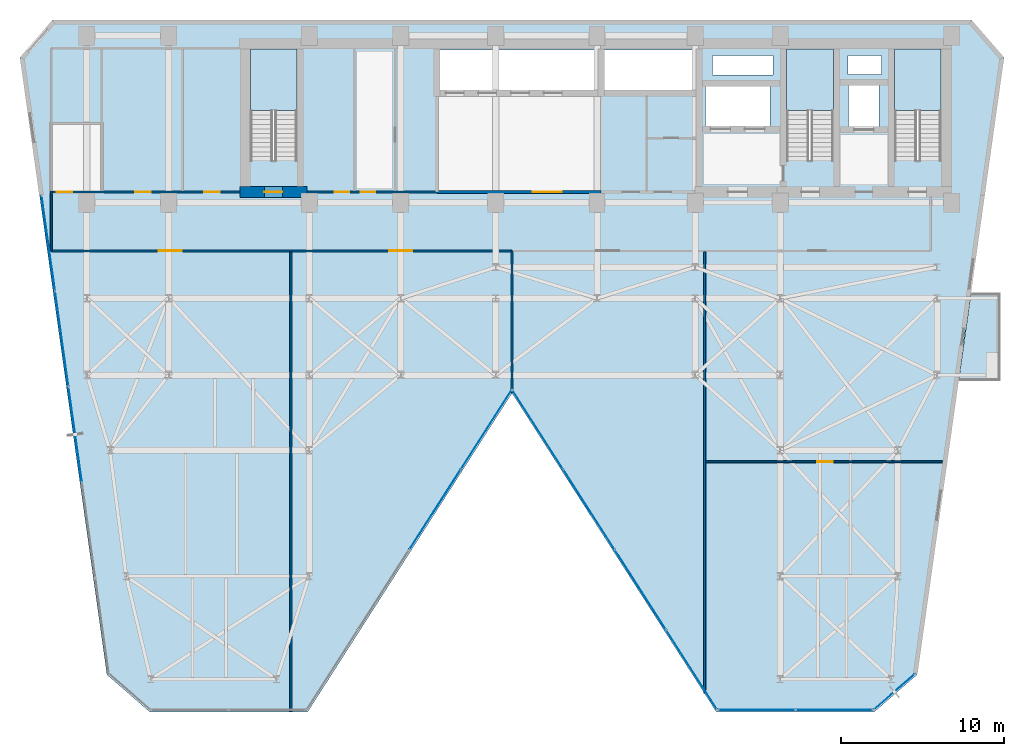
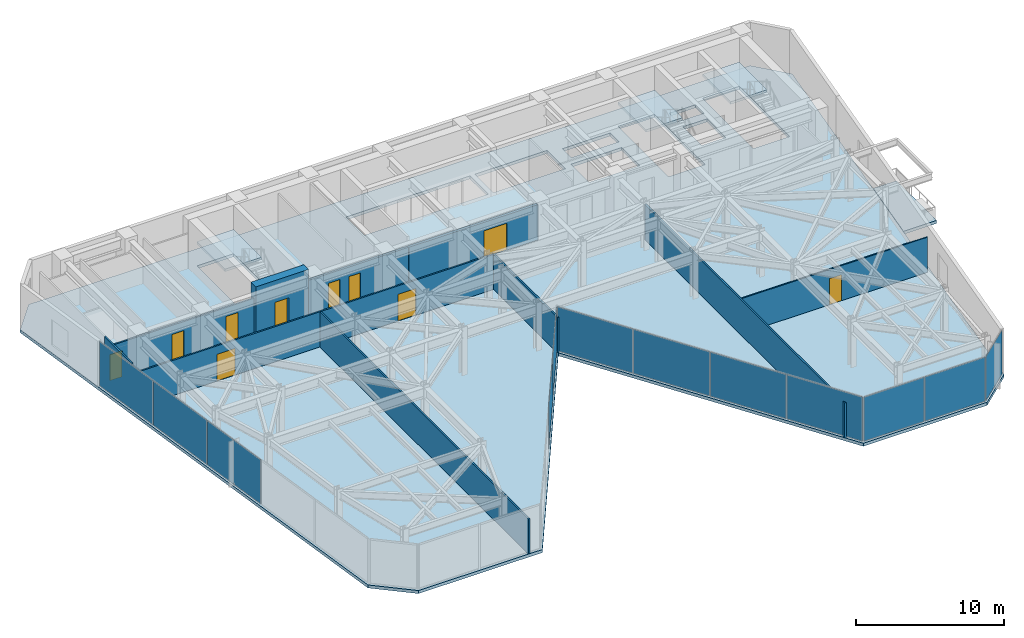
# One storey, part 21 of 26: 12 plates, 10 doors, 10 walls, 5 slabs, 10 openings, 8 elements without a shape of their own.
"""IFC4 building model written with IfcOpenShell, lengths in metres."""

import ifcopenshell
import ifcopenshell.guid

model = None  # the IFC model being written
_history = None  # IfcOwnerHistory: only IFC2X3 demands one
_inside = {}  # id of a spatial element -> (the spatial element, [elements in it])
_under = {}  # id of a project, library or spatial element -> (it, [spatial elements below it])
_declared = {}  # id of a project -> (the project, [libraries it declares])
_typed = {}  # id of a type object -> (the type object, [elements of that type])
_made_of = {}  # id of a material, layer set ... -> (it, [elements and type objects made of it])


def new_model(schema):
    """Start an empty IFC model of exactly this schema.

    Asked for "IFC4X3", IfcOpenShell would pick the latest addendum, in which some entities
    have other attributes; the version numbers below select the first issue.
    IFC2X3 requires an IfcOwnerHistory on every rooted entity: one is made here for all.
    """
    global model, _history
    if schema == "IFC4X3":
        model = ifcopenshell.file(schema_version=(4, 3, 0, 0))
    else:
        model = ifcopenshell.file(schema=schema)
    _inside.clear()
    _under.clear()
    _declared.clear()
    _typed.clear()
    _made_of.clear()
    _history = None
    if model.schema == "IFC2X3":
        org = make("IfcOrganization", Name="unknown")
        user = make(
            "IfcPersonAndOrganization",
            ThePerson=make("IfcPerson", FamilyName="unknown"),
            TheOrganization=org,
        )
        app = make(
            "IfcApplication",
            ApplicationDeveloper=org,
            Version="unknown",
            ApplicationFullName="unknown",
            ApplicationIdentifier="unknown",
        )
        _history = make(
            "IfcOwnerHistory",
            OwningUser=user,
            OwningApplication=app,
            ChangeAction="ADDED",
            CreationDate=0,
        )
    return model


def make(cls, **values):
    """One entity of the class cls with the attributes given. An attribute that is None is left unset."""
    return model.create_entity(
        cls, **{name: value for name, value in values.items() if value is not None}
    )


def rooted(cls, **values):
    """An entity with a GlobalId (a new one), such as an element, a storey or a relation."""
    return make(cls, GlobalId=ifcopenshell.guid.new(), OwnerHistory=_history, **values)


def si_unit(unit_type, name, prefix=None):
    """IfcSIUnit, for example si_unit("LENGTHUNIT", "METRE", prefix="MILLI")."""
    return make("IfcSIUnit", UnitType=unit_type, Prefix=prefix, Name=name)


def assignment(units):
    """IfcUnitAssignment: the units of a project."""
    return None if units is None else make("IfcUnitAssignment", Units=units)


def point(xyz):
    """IfcCartesianPoint."""
    return None if xyz is None else make("IfcCartesianPoint", Coordinates=xyz)


def direction(xyz):
    """IfcDirection."""
    return None if xyz is None else make("IfcDirection", DirectionRatios=xyz)


def frame(location, z_axis=None, x_axis=None):
    """IfcAxis2Placement3D, a coordinate frame: its origin and axes. An axis left out is left unset."""
    return make(
        "IfcAxis2Placement3D",
        Location=point(location),
        Axis=direction(z_axis),
        RefDirection=direction(x_axis),
    )


def frame_2d(location, x_axis=None):
    """IfcAxis2Placement2D, a coordinate frame in the plane: its origin and x axis."""
    return make(
        "IfcAxis2Placement2D", Location=point(location), RefDirection=direction(x_axis)
    )


def origin():
    """The frame at (0, 0, 0) with its axes left unset."""
    return frame((0.0, 0.0, 0.0))


def origin_2d():
    """The frame at (0, 0) in the plane with its x axis left unset."""
    return frame_2d((0.0, 0.0))


def place(relative_to, where):
    """IfcLocalPlacement: puts the frame where relative to a parent placement (None: the world)."""
    return make(
        "IfcLocalPlacement", PlacementRelTo=relative_to, RelativePlacement=where
    )


def context(
    kind, dimensions, precision=None, world=None, true_north=None, identifier=None
):
    """IfcGeometricRepresentationContext, for example the 3D "Model" context."""
    return make(
        "IfcGeometricRepresentationContext",
        ContextIdentifier=identifier,
        ContextType=kind,
        CoordinateSpaceDimension=dimensions,
        Precision=precision,
        WorldCoordinateSystem=world,
        TrueNorth=true_north,
    )


def subcontext(parent, identifier, kind, view, scale=None):
    """IfcGeometricRepresentationSubContext, for example "Body" below "Model"."""
    return make(
        "IfcGeometricRepresentationSubContext",
        ContextIdentifier=identifier,
        ContextType=kind,
        ParentContext=parent,
        TargetScale=scale,
        TargetView=view,
    )


def project(units=None, contexts=None):
    """IfcProject with its units and contexts."""
    return rooted(
        "IfcProject",
        Name="project",
        RepresentationContexts=contexts,
        UnitsInContext=assignment(units),
    )


def spatial(cls, under=None, at=None, **own):
    """A site, building, storey or space (cls), placed at a placement, below another one or the project."""
    s = rooted(cls, ObjectPlacement=at, **own)
    if under is not None:
        _under.setdefault(under.id(), (under, []))[1].append(s)
    return s


def polyline(points):
    """IfcPolyline through the points."""
    return make("IfcPolyline", Points=[point(p) for p in points])


def profile(cls, at=None, kind="AREA", **sizes):
    """A parametric profile (cls). Its sizes go by their IFC names, for example OverallWidth=200.0."""
    return make(cls, ProfileType=kind, Position=at, **sizes)


def rectangle(**sizes):
    """IfcRectangleProfileDef."""
    return profile("IfcRectangleProfileDef", **sizes)


def outline(outer, holes=None, kind="AREA"):
    """IfcArbitraryClosedProfileDef: a profile drawn as a closed curve; with holes, ...WithVoids."""
    if holes is None:
        return make("IfcArbitraryClosedProfileDef", ProfileType=kind, OuterCurve=outer)
    return make(
        "IfcArbitraryProfileDefWithVoids",
        ProfileType=kind,
        OuterCurve=outer,
        InnerCurves=holes,
    )


def extrude(swept, where, along, depth):
    """IfcExtrudedAreaSolid: the profile swept, set in the frame where, extruded along a direction by depth."""
    return make(
        "IfcExtrudedAreaSolid",
        SweptArea=swept,
        Position=where,
        ExtrudedDirection=direction(along),
        Depth=depth,
    )


def shape(context_of_items, identifier, shape_type, items):
    """IfcShapeRepresentation: the items that make up one representation, for example the "Body"."""
    return make(
        "IfcShapeRepresentation",
        ContextOfItems=context_of_items,
        RepresentationIdentifier=identifier,
        RepresentationType=shape_type,
        Items=items,
    )


def material(Name=None, Category=None):
    """IfcMaterial."""
    return make("IfcMaterial", Name=Name, Category=Category)


def layer(
    of_material, thickness, ventilated=None, Name=None, Category=None, Priority=None
):
    """IfcMaterialLayer: one layer of a wall or slab, of a material (None: an air gap)."""
    return make(
        "IfcMaterialLayer",
        Material=of_material,
        LayerThickness=thickness,
        IsVentilated=ventilated,
        Name=Name,
        Category=Category,
        Priority=Priority,
    )


def layer_set(layers, Name=None):
    """IfcMaterialLayerSet."""
    return make("IfcMaterialLayerSet", MaterialLayers=layers, LayerSetName=Name)


def made_of(thing, what):
    """Note that an element or type object is made of a material, layer set ...; save() writes the relation."""
    if what is not None:
        _made_of.setdefault(what.id(), (what, []))[1].append(thing)
    return thing


def type_object(cls, material=None, **own):
    """A type object (cls), such as IfcWallType, which elements share."""
    return made_of(rooted(cls, **own), material)


def element(
    cls,
    number,
    at=None,
    inside=None,
    cuts=None,
    type_object=None,
    material=None,
    context=None,
    identifier="Body",
    shape_type=None,
    held_by="IfcProductDefinitionShape",
    body=None,
    shapes=None,
    **own,
):
    """One element of the class cls, such as IfcWall. Its Tag is "e" and its number.

    at: its placement. inside: the storey or other place that contains it. cuts: it is an
    opening in that element (IfcRelVoidsElement). A single representation is given by context,
    identifier, shape_type and body (its items); several are given by shapes. held_by: the class
    of the entity that holds the representations. save() writes the other relations.
    """
    e = rooted(cls, Tag="e%d" % number, ObjectPlacement=at, **own)
    if body is not None:
        shapes = [shape(context, identifier, shape_type, body)]
    if shapes is not None:
        e.Representation = make(held_by, Representations=shapes)
    if inside is not None:
        _inside.setdefault(inside.id(), (inside, []))[1].append(e)
    if cuts is not None:
        rooted(
            "IfcRelVoidsElement", RelatingBuildingElement=cuts, RelatedOpeningElement=e
        )
    if type_object is not None:
        _typed.setdefault(type_object.id(), (type_object, []))[1].append(e)
    return made_of(e, material)


def fill(opening, filler):
    """IfcRelFillsElement: the door or window that sits in an opening."""
    return rooted(
        "IfcRelFillsElement",
        RelatingOpeningElement=opening,
        RelatedBuildingElement=filler,
    )


def aggregate(whole, parts):
    """IfcRelAggregates: a whole, such as a stair, and the parts it consists of."""
    return rooted("IfcRelAggregates", RelatingObject=whole, RelatedObjects=parts)


def save(model, path):
    """Write the relations noted so far, then the file.

    IfcRelAggregates (storeys below a building ...), IfcRelContainedInSpatialStructure (elements
    in a storey), IfcRelDefinesByType, IfcRelAssociatesMaterial and IfcRelDeclares: one each for
    every whole, place, type object, material and project.
    """
    for whole, parts in _under.values():
        aggregate(whole, parts)
    for where, things in _inside.values():
        rooted(
            "IfcRelContainedInSpatialStructure",
            RelatedElements=things,
            RelatingStructure=where,
        )
    for kind, things in _typed.values():
        rooted("IfcRelDefinesByType", RelatedObjects=things, RelatingType=kind)
    for what, things in _made_of.values():
        rooted("IfcRelAssociatesMaterial", RelatedObjects=things, RelatingMaterial=what)
    for by, libraries in _declared.values():
        rooted("IfcRelDeclares", RelatingContext=by, RelatedDefinitions=libraries)
    model.write(path)


model = new_model("IFC4")

# Units and contexts
model_context = context("Model", 3, precision=1e-05, world=origin(), true_north=direction((0.0, 1.0)))
body_context = subcontext(model_context, "Body", "Model", "MODEL_VIEW")
ifc_project = project(units=[si_unit("LENGTHUNIT", "METRE"), si_unit("AREAUNIT", "SQUARE_METRE"), si_unit("VOLUMEUNIT", "CUBIC_METRE"), si_unit("PLANEANGLEUNIT", "RADIAN"), si_unit("MASSUNIT", "GRAM", prefix="KILO")], contexts=[model_context])

# Site, building, storey
site_placement = place(None, origin())
site = spatial("IfcSite", under=ifc_project, at=site_placement, CompositionType="ELEMENT")
building_placement = place(site_placement, origin())
building = spatial("IfcBuilding", under=site, at=building_placement, Name="Kravanh Interchange Tower", CompositionType="ELEMENT")
storey_placement = place(building_placement, frame((0.0, 0.0, 124.0)))
storey = spatial("IfcBuildingStorey", under=building, at=storey_placement, Name="L29", CompositionType="ELEMENT", Elevation=124.0)

# Slab
ifc_material_1 = material(Name="Concrete C50/60", Category="concrete")
ifc_layer_1 = layer(ifc_material_1, 0.25)
ifc_layer_set_1 = layer_set([ifc_layer_1], Name="Composite Floor Slab Concrete C50/60 250mm")
slab_type_1 = type_object("IfcSlabType", Name="Composite Floor Slab Concrete C50/60 250mm", PredefinedType="FLOOR", material=ifc_layer_set_1)
slab_1_placement = place(storey_placement, frame((0.0, 0.0, -0.25)))
element("IfcSlab", 1, at=slab_1_placement, inside=storey, type_object=slab_type_1, Name="L29 Structural Floor Slab", PredefinedType="FLOOR", context=body_context, shape_type="SweptSolid", body=[
    extrude(outline(polyline([(14.82470703125, 8.4775390625), (17.44482421875, 6.199951171875), (27.10009765625, 6.199951171875), (39.60009765625, 25.699951171875), (52.10009765625, 6.199951171875), (61.755126953125, 6.199951171875), (64.375244140625, 8.4775390625), (69.679931640625, 46.222412109375), (67.699951171875, 48.5), (11.5, 48.5), (9.52001953125, 46.222412109375), (14.82470703125, 8.4775390625)]), holes=[polyline([(65.85009765625, 39.925048828125), (65.85009765625, 46.75), (63.0, 46.75), (63.0, 39.925048828125), (65.85009765625, 39.925048828125)]), polyline([(59.25, 39.925048828125), (59.25, 46.75), (56.39990234375, 46.75), (56.39990234375, 39.925048828125), (59.25, 39.925048828125)]), polyline([(26.449951171875, 39.925048828125), (26.449951171875, 46.75), (23.60009765625, 46.75), (23.60009765625, 39.925048828125), (26.449951171875, 39.925048828125)]), polyline([(35.179931640625, 44.219970703125), (44.840087890625, 44.219970703125), (44.840087890625, 46.699951171875), (35.179931640625, 46.699951171875), (35.179931640625, 44.219970703125)]), polyline([(45.239990234375, 44.219970703125), (50.840087890625, 44.219970703125), (50.840087890625, 46.699951171875), (45.239990234375, 46.699951171875), (45.239990234375, 44.219970703125)]), polyline([(51.419921875, 42.02001953125), (55.3798828125, 42.02001953125), (55.3798828125, 44.47998046875), (51.419921875, 44.47998046875), (51.419921875, 42.02001953125)]), polyline([(60.179931640625, 41.97998046875), (62.06005859375, 41.97998046875), (62.06005859375, 44.52001953125), (60.179931640625, 44.52001953125), (60.179931640625, 41.97998046875)]), polyline([(60.14990234375, 45.199951171875), (62.199951171875, 45.199951171875), (62.199951171875, 46.35009765625), (60.14990234375, 46.35009765625), (60.14990234375, 45.199951171875)]), polyline([(51.85009765625, 45.14990234375), (55.550048828125, 45.14990234375), (55.550048828125, 46.35009765625), (51.85009765625, 46.35009765625), (51.85009765625, 45.14990234375)])]), origin(), (0.0, 0.0, 1.0), 0.25),
])

# Stair, slab
ifc_material_2 = material(Name="Concrete C50/60", Category="concrete")
stair_type = type_object("IfcStairType", Name="Core Fire Exit Dogleg Stair Concrete C50/60", PredefinedType="HALF_TURN_STAIR", material=ifc_material_2)
stair_1_placement = place(storey_placement, origin())
stair_1 = element("IfcStair", 2, at=stair_1_placement, inside=storey, type_object=stair_type, Name="L29 Exit Stair ST1", PredefinedType="HALF_TURN_STAIR")
ifc_material_3 = material(Name="Concrete C50/60", Category="concrete")
ifc_layer_2 = layer(ifc_material_3, 0.199951171875)
ifc_layer_set_2 = layer_set([ifc_layer_2], Name="Concrete C50/60 Stair Half-Landing Slab 200mm")
slab_type_2 = type_object("IfcSlabType", Name="Concrete C50/60 Stair Half-Landing Slab 200mm", PredefinedType="LANDING", material=ifc_layer_set_2)
slab_2_placement = place(storey_placement, frame((0.0, 0.0, 1.800048828125)))
slab_2 = element("IfcSlab", 3, at=slab_2_placement, type_object=slab_type_2, Name="ST1 landing 1", PredefinedType="LANDING", context=body_context, shape_type="SweptSolid", body=[
    extrude(outline(polyline([(65.85009765625, 42.97998046875), (65.85009765625, 46.75), (63.0, 46.75), (63.0, 42.97998046875), (65.85009765625, 42.97998046875)])), origin(), (0.0, 0.0, 1.0), 0.199951171875),
])
aggregate(stair_1, [slab_2])

stair_2_placement = place(storey_placement, origin())
stair_2 = element("IfcStair", 4, at=stair_2_placement, inside=storey, type_object=stair_type, Name="L29 Exit Stair ST2", PredefinedType="HALF_TURN_STAIR")
slab_3_placement = place(storey_placement, frame((0.0, 0.0, 1.800048828125)))
slab_3 = element("IfcSlab", 5, at=slab_3_placement, type_object=slab_type_2, Name="ST2 landing 1", PredefinedType="LANDING", context=body_context, shape_type="SweptSolid", body=[
    extrude(outline(polyline([(59.25, 42.97998046875), (59.25, 46.75), (56.39990234375, 46.75), (56.39990234375, 42.97998046875), (59.25, 42.97998046875)])), origin(), (0.0, 0.0, 1.0), 0.199951171875),
])
aggregate(stair_2, [slab_3])

stair_3_placement = place(storey_placement, origin())
stair_3 = element("IfcStair", 6, at=stair_3_placement, inside=storey, type_object=stair_type, Name="L29 Exit Stair ST3", PredefinedType="HALF_TURN_STAIR")
slab_4_placement = place(storey_placement, frame((0.0, 0.0, 1.800048828125)))
slab_4 = element("IfcSlab", 7, at=slab_4_placement, type_object=slab_type_2, Name="ST3 landing 1", PredefinedType="LANDING", context=body_context, shape_type="SweptSolid", body=[
    extrude(outline(polyline([(26.449951171875, 42.97998046875), (26.449951171875, 46.75), (23.60009765625, 46.75), (23.60009765625, 42.97998046875), (26.449951171875, 42.97998046875)])), origin(), (0.0, 0.0, 1.0), 0.199951171875),
])
aggregate(stair_3, [slab_4])

# Slab
ifc_material_4 = material(Name="Concrete C50/60", Category="concrete")
ifc_layer_3 = layer(ifc_material_4, 0.199951171875)
ifc_layer_set_3 = layer_set([ifc_layer_3], Name="Planted Tree Balcony Slab Concrete C50/60 200mm")
slab_type_3 = type_object("IfcSlabType", Name="Planted Tree Balcony Slab Concrete C50/60 200mm", PredefinedType="USERDEFINED", material=ifc_layer_set_3)
slab_5_placement = place(storey_placement, frame((0.0, 0.0, -0.25)))
element("IfcSlab", 8, at=slab_5_placement, inside=storey, type_object=slab_type_3, Name="L29 East Tree Planter Balcony Slab", ObjectType="BALCONY", PredefinedType="USERDEFINED", context=body_context, shape_type="SweptSolid", body=[
    extrude(outline(polyline([(69.489990234375, 31.830078125), (69.489990234375, 26.429931640625), (66.913330078125, 26.429931640625), (67.67236328125, 31.830078125), (69.489990234375, 31.830078125)])), origin(), (0.0, 0.0, 1.0), 0.25),
])

# Curtain wall, plates
ifc_material_5 = material(Name="Anodised Bronze Aluminium", Category="aluminium")
ifc_layer_4 = layer(ifc_material_5, 0.179931640625)
ifc_layer_set_4 = layer_set([ifc_layer_4], Name="Unitised Curtain Wall System CW-Z2 Mid Office")
curtain_wall_type = type_object("IfcCurtainWallType", Name="Unitised Curtain Wall System CW-Z2 Mid Office", PredefinedType="NOTDEFINED", material=ifc_layer_set_4)
curtain_wall_1_placement = place(storey_placement, origin())
curtain_wall_1 = element("IfcCurtainWall", 9, at=curtain_wall_1_placement, inside=storey, type_object=curtain_wall_type, Name="L29 Unitised Curtain Wall CW-L29-01", PredefinedType="NOTDEFINED")
ifc_material_6 = material(Name="Low-E Laminated Architectural Glass", Category="glass")
ifc_layer_5 = layer(ifc_material_6, 0.02587890625)
ifc_layer_set_5 = layer_set([ifc_layer_5], Name="Solar-Control Double Glazing 26mm")
plate_type = type_object("IfcPlateType", Name="Solar-Control Double Glazing 26mm", PredefinedType="CURTAIN_PANEL", material=ifc_layer_set_5)
plate_1_placement = place(storey_placement, frame((12.881103515625, 23.16943359375, 0.06005859375), z_axis=(0.0, 0.0, 1.0), x_axis=(-0.13917285118, 0.990268103846, 0.0)))
plate_1 = element("IfcPlate", 10, at=plate_1_placement, type_object=plate_type, Name="CW-Z2 panel 3.1", PredefinedType="CURTAIN_PANEL", context=body_context, shape_type="SweptSolid", body=[
    extrude(rectangle(XDim=5.849853515625, YDim=0.02587890625, at=origin_2d()), origin(), (0.0, 0.0, 1.0), 3.6298828125),
])
plate_2_placement = place(storey_placement, frame((12.058837890625, 29.021728515625, 0.06005859375), z_axis=(0.0, 0.0, 1.0), x_axis=(-0.13917285118, 0.990268103846, 0.0)))
plate_2 = element("IfcPlate", 11, at=plate_2_placement, type_object=plate_type, Name="CW-Z2 panel 4.1", PredefinedType="CURTAIN_PANEL", context=body_context, shape_type="SweptSolid", body=[
    extrude(rectangle(XDim=5.849853515625, YDim=0.02587890625, at=origin_2d()), origin(), (0.0, 0.0, 1.0), 3.6298828125),
])
plate_3_placement = place(storey_placement, frame((11.23828125, 34.859130859375, 0.06005859375), z_axis=(0.0, 0.0, 1.0), x_axis=(-0.13917285118, 0.990268103846, 0.0)))
plate_3 = element("IfcPlate", 12, at=plate_3_placement, type_object=plate_type, Name="CW-Z2 panel 5.1", PredefinedType="CURTAIN_PANEL", context=body_context, shape_type="SweptSolid", body=[
    extrude(rectangle(XDim=5.81982421875, YDim=0.02587890625, at=origin_2d()), origin(), (0.0, 0.0, 1.0), 3.6298828125),
])
aggregate(curtain_wall_1, [plate_1, plate_2, plate_3])

# Curtain wall, plate
curtain_wall_2_placement = place(storey_placement, origin())
curtain_wall_2 = element("IfcCurtainWall", 13, at=curtain_wall_2_placement, inside=storey, type_object=curtain_wall_type, Name="L29 Unitised Curtain Wall CW-L29-02", PredefinedType="NOTDEFINED")
plate_4_placement = place(storey_placement, frame((62.986328125, 7.429443359375, 0.06005859375), z_axis=(0.0, 0.0, 1.0), x_axis=(-0.754719458103, -0.656047665617, 0.0)))
plate_4 = element("IfcPlate", 14, at=plate_4_placement, type_object=plate_type, Name="CW-Z2 panel 1.1", PredefinedType="CURTAIN_PANEL", context=body_context, shape_type="SweptSolid", body=[
    extrude(rectangle(XDim=3.261962890625, YDim=0.02587890625, at=origin_2d()), origin(), (0.0, 0.0, 1.0), 3.6298828125),
])
aggregate(curtain_wall_2, [plate_4])

# Curtain wall, plates
curtain_wall_3_placement = place(storey_placement, origin())
curtain_wall_3 = element("IfcCurtainWall", 15, at=curtain_wall_3_placement, inside=storey, type_object=curtain_wall_type, Name="L29 Unitised Curtain Wall CW-L29-03", PredefinedType="NOTDEFINED")
plate_5_placement = place(storey_placement, frame((59.30908203125, 6.320068359375, 0.06005859375), z_axis=(0.0, 0.0, 1.0), x_axis=(-1.0, 0.0, 0.0)))
plate_5 = element("IfcPlate", 16, at=plate_5_placement, type_object=plate_type, Name="CW-Z2 panel 1.1", PredefinedType="CURTAIN_PANEL", context=body_context, shape_type="SweptSolid", body=[
    extrude(rectangle(XDim=4.682373046875, YDim=0.02587890625, at=origin_2d()), origin(), (0.0, 0.0, 1.0), 3.6298828125),
])
plate_6_placement = place(storey_placement, frame((54.566650390625, 6.320068359375, 0.06005859375), z_axis=(0.0, 0.0, 1.0), x_axis=(-1.0, 0.0, 0.0)))
plate_6 = element("IfcPlate", 17, at=plate_6_placement, type_object=plate_type, Name="CW-Z2 panel 2.1", PredefinedType="CURTAIN_PANEL", context=body_context, shape_type="SweptSolid", body=[
    extrude(rectangle(XDim=4.682373046875, YDim=0.02587890625, at=origin_2d()), origin(), (0.0, 0.0, 1.0), 3.6298828125),
])
aggregate(curtain_wall_3, [plate_5, plate_6])

curtain_wall_4_placement = place(storey_placement, origin())
curtain_wall_4 = element("IfcCurtainWall", 18, at=curtain_wall_4_placement, inside=storey, type_object=curtain_wall_type, Name="L29 Unitised Curtain Wall CW-L29-04", PredefinedType="NOTDEFINED")
plate_7_placement = place(storey_placement, frame((50.5869140625, 8.782958984375, 0.06005859375), z_axis=(0.0, 0.0, 1.0), x_axis=(-0.539664865919, 0.841879939476, 0.0)))
plate_7 = element("IfcPlate", 19, at=plate_7_placement, type_object=plate_type, Name="CW-Z2 panel 1.1", PredefinedType="CURTAIN_PANEL", context=body_context, shape_type="SweptSolid", body=[
    extrude(rectangle(XDim=5.73095703125, YDim=0.02587890625, at=origin_2d()), origin(), (0.0, 0.0, 1.0), 3.6298828125),
])
plate_8_placement = place(storey_placement, frame((47.45361328125, 13.6708984375, 0.06005859375), z_axis=(0.0, 0.0, 1.0), x_axis=(-0.539664865919, 0.841879939476, 0.0)))
plate_8 = element("IfcPlate", 20, at=plate_8_placement, type_object=plate_type, Name="CW-Z2 panel 2.1", PredefinedType="CURTAIN_PANEL", context=body_context, shape_type="SweptSolid", body=[
    extrude(rectangle(XDim=5.760986328125, YDim=0.02587890625, at=origin_2d()), origin(), (0.0, 0.0, 1.0), 3.6298828125),
])
plate_9_placement = place(storey_placement, frame((44.31201171875, 18.571533203125, 0.06005859375), z_axis=(0.0, 0.0, 1.0), x_axis=(-0.539664865919, 0.841879939476, 0.0)))
plate_9 = element("IfcPlate", 21, at=plate_9_placement, type_object=plate_type, Name="CW-Z2 panel 3.1", PredefinedType="CURTAIN_PANEL", context=body_context, shape_type="SweptSolid", body=[
    extrude(rectangle(XDim=5.760986328125, YDim=0.02587890625, at=origin_2d()), origin(), (0.0, 0.0, 1.0), 3.6298828125),
])
plate_10_placement = place(storey_placement, frame((41.1787109375, 23.45947265625, 0.06005859375), z_axis=(0.0, 0.0, 1.0), x_axis=(-0.539664865919, 0.841879939476, 0.0)))
plate_10 = element("IfcPlate", 22, at=plate_10_placement, type_object=plate_type, Name="CW-Z2 panel 4.1", PredefinedType="CURTAIN_PANEL", context=body_context, shape_type="SweptSolid", body=[
    extrude(rectangle(XDim=5.73095703125, YDim=0.02587890625, at=origin_2d()), origin(), (0.0, 0.0, 1.0), 3.6298828125),
])
aggregate(curtain_wall_4, [plate_7, plate_8, plate_9, plate_10])

curtain_wall_5_placement = place(storey_placement, origin())
curtain_wall_5 = element("IfcCurtainWall", 23, at=curtain_wall_5_placement, inside=storey, type_object=curtain_wall_type, Name="L29 Unitised Curtain Wall CW-L29-05", PredefinedType="NOTDEFINED")
plate_11_placement = place(storey_placement, frame((38.021240234375, 23.45947265625, 0.06005859375), z_axis=(0.0, 0.0, 1.0), x_axis=(-0.539664865919, -0.841879939476, 0.0)))
plate_11 = element("IfcPlate", 24, at=plate_11_placement, type_object=plate_type, Name="CW-Z2 panel 1.1", PredefinedType="CURTAIN_PANEL", context=body_context, shape_type="SweptSolid", body=[
    extrude(rectangle(XDim=5.73095703125, YDim=0.02587890625, at=origin_2d()), origin(), (0.0, 0.0, 1.0), 3.6298828125),
])
plate_12_placement = place(storey_placement, frame((34.887939453125, 18.571533203125, 0.06005859375), z_axis=(0.0, 0.0, 1.0), x_axis=(-0.539664865919, -0.841879939476, 0.0)))
plate_12 = element("IfcPlate", 25, at=plate_12_placement, type_object=plate_type, Name="CW-Z2 panel 2.1", PredefinedType="CURTAIN_PANEL", context=body_context, shape_type="SweptSolid", body=[
    extrude(rectangle(XDim=5.760986328125, YDim=0.02587890625, at=origin_2d()), origin(), (0.0, 0.0, 1.0), 3.6298828125),
])
aggregate(curtain_wall_5, [plate_11, plate_12])

# Wall, openings, doors
ifc_material_7 = material(Name="Double Acoustic Gypsum Board and Mineral Wool")
ifc_layer_6 = layer(ifc_material_7, 0.1201171875)
ifc_layer_set_6 = layer_set([ifc_layer_6], Name="Acoustic Office Drywall Partition 120mm")
wall_type_1 = type_object("IfcWallType", Name="Acoustic Office Drywall Partition 120mm", PredefinedType="PARTITIONING", material=ifc_layer_set_6)
wall_1_placement = place(storey_placement, frame((11.419921875, 38.0, 0.0), z_axis=(0.0, 0.0, 1.0), x_axis=(1.0, 0.0, 0.0)))
wall_1 = element("IfcWall", 26, at=wall_1_placement, inside=storey, type_object=wall_type_1, Name="L29 Restroom Corridor Wall 9", PredefinedType="PARTITIONING", context=body_context, shape_type="SweptSolid", body=[
    extrude(rectangle(XDim=11.530029296875, YDim=0.1201171875, at=frame_2d((5.76513671875, 0.0))), origin(), (0.0, 0.0, 1.0), 2.89404296875),
])
opening_1_placement = place(wall_1_placement, frame((0.3427734375, 0.0, 0.0)))
opening_1 = element("IfcOpeningElement", 27, at=opening_1_placement, cuts=wall_1, Name="Opening D-95", PredefinedType="OPENING", context=body_context, shape_type="SweptSolid", body=[
    extrude(rectangle(XDim=0.949951171875, YDim=2.14990234375, at=frame_2d((0.47509765625, 1.074951171875))), frame((0.0, 0.070068359375, 0.0), z_axis=(0.0, -1.0, 0.0), x_axis=(1.0, 0.0, 0.0)), (0.0, 0.0, 1.0), 0.14013671875),
])
opening_2_placement = place(wall_1_placement, frame((5.130126953125, 0.0, 0.0)))
opening_2 = element("IfcOpeningElement", 28, at=opening_2_placement, cuts=wall_1, Name="Opening D-95", PredefinedType="OPENING", context=body_context, shape_type="SweptSolid", body=[
    extrude(rectangle(XDim=0.949951171875, YDim=2.14990234375, at=frame_2d((0.47509765625, 1.074951171875))), frame((0.0, 0.070068359375, 0.0), z_axis=(0.0, -1.0, 0.0), x_axis=(1.0, 0.0, 0.0)), (0.0, 0.0, 1.0), 0.14013671875),
])
opening_3_placement = place(wall_1_placement, frame((9.344970703125, 0.0, 0.0)))
opening_3 = element("IfcOpeningElement", 29, at=opening_3_placement, cuts=wall_1, Name="Opening D-95", PredefinedType="OPENING", context=body_context, shape_type="SweptSolid", body=[
    extrude(rectangle(XDim=0.949951171875, YDim=2.14990234375, at=frame_2d((0.47509765625, 1.074951171875))), frame((0.0, 0.070068359375, 0.0), z_axis=(0.0, -1.0, 0.0), x_axis=(1.0, 0.0, 0.0)), (0.0, 0.0, 1.0), 0.14013671875),
])
ifc_material_8 = material(Name="Laminate Solid-Core Timber", Category="wood")
door_type_1 = type_object("IfcDoorType", Name="Accessible Restroom Door 950x2150", OperationType="NOTDEFINED", PredefinedType="DOOR", material=ifc_material_8)
door_1_placement = place(opening_1_placement, origin())
door_1 = element("IfcDoor", 30, at=door_1_placement, inside=storey, type_object=door_type_1, Name="L29 Accessible WC Door", OperationType="SINGLE_SWING_LEFT", OverallHeight=2.14990234375, OverallWidth=0.949951171875, PredefinedType="DOOR", context=body_context, shape_type="SweptSolid", body=[
    extrude(rectangle(XDim=0.949951171875, YDim=2.14990234375, at=frame_2d((0.47509765625, 1.074951171875))), frame((0.0, 0.02490234375, 0.0), z_axis=(0.0, -1.0, 0.0), x_axis=(1.0, 0.0, 0.0)), (0.0, 0.0, 1.0), 0.050048828125),
])
fill(opening_1, door_1)
door_2_placement = place(opening_2_placement, origin())
door_2 = element("IfcDoor", 31, at=door_2_placement, inside=storey, type_object=door_type_1, Name="L29 Female WC Door", OperationType="SINGLE_SWING_RIGHT", OverallHeight=2.14990234375, OverallWidth=0.949951171875, PredefinedType="DOOR", context=body_context, shape_type="SweptSolid", body=[
    extrude(rectangle(XDim=0.949951171875, YDim=2.14990234375, at=frame_2d((0.47509765625, 1.074951171875))), frame((0.0, 0.02490234375, 0.0), z_axis=(0.0, -1.0, 0.0), x_axis=(1.0, 0.0, 0.0)), (0.0, 0.0, 1.0), 0.050048828125),
])
fill(opening_2, door_2)
door_3_placement = place(opening_3_placement, origin())
door_3 = element("IfcDoor", 32, at=door_3_placement, inside=storey, type_object=door_type_1, Name="L29 Male WC Door", OperationType="SINGLE_SWING_LEFT", OverallHeight=2.14990234375, OverallWidth=0.949951171875, PredefinedType="DOOR", context=body_context, shape_type="SweptSolid", body=[
    extrude(rectangle(XDim=0.949951171875, YDim=2.14990234375, at=frame_2d((0.47509765625, 1.074951171875))), frame((0.0, 0.02490234375, 0.0), z_axis=(0.0, -1.0, 0.0), x_axis=(1.0, 0.0, 0.0)), (0.0, 0.0, 1.0), 0.050048828125),
])
fill(opening_3, door_3)

wall_2_placement = place(storey_placement, frame((11.419921875, 34.39990234375, 0.0), z_axis=(0.0, 0.0, 1.0), x_axis=(1.0, 0.0, 0.0)))
wall_2 = element("IfcWall", 33, at=wall_2_placement, inside=storey, type_object=wall_type_1, Name="L29 Interior Partition 15", PredefinedType="PARTITIONING", context=body_context, shape_type="SweptSolid", body=[
    extrude(rectangle(XDim=28.18017578125, YDim=0.1201171875, at=frame_2d((14.090087890625, 0.0))), origin(), (0.0, 0.0, 1.0), 2.89404296875),
])
opening_4_placement = place(wall_2_placement, frame((6.5849609375, 0.0, 0.0)))
opening_4 = element("IfcOpeningElement", 34, at=opening_4_placement, cuts=wall_2, Name="Opening DBL-140", PredefinedType="OPENING", context=body_context, shape_type="SweptSolid", body=[
    extrude(rectangle(XDim=1.39990234375, YDim=2.199951171875, at=frame_2d((0.699951171875, 1.10009765625))), frame((0.0, 0.070068359375, 0.0), z_axis=(0.0, -1.0, 0.0), x_axis=(1.0, 0.0, 0.0)), (0.0, 0.0, 1.0), 0.14013671875),
])
opening_5_placement = place(wall_2_placement, frame((20.6748046875, 0.0, 0.0)))
opening_5 = element("IfcOpeningElement", 35, at=opening_5_placement, cuts=wall_2, Name="Opening DBL-140", PredefinedType="OPENING", context=body_context, shape_type="SweptSolid", body=[
    extrude(rectangle(XDim=1.39990234375, YDim=2.199951171875, at=frame_2d((0.699951171875, 1.10009765625))), frame((0.0, 0.070068359375, 0.0), z_axis=(0.0, -1.0, 0.0), x_axis=(1.0, 0.0, 0.0)), (0.0, 0.0, 1.0), 0.14013671875),
])
ifc_material_9 = material(Name="Acoustic Bronze-Framed Glass", Category="glass")
door_type_2 = type_object("IfcDoorType", Name="Hospitality Lounge Double Door 1400x2200", OperationType="DOUBLE_DOOR_SINGLE_SWING", PredefinedType="DOOR", material=ifc_material_9)
door_4_placement = place(opening_4_placement, origin())
door_4 = element("IfcDoor", 36, at=door_4_placement, inside=storey, type_object=door_type_2, Name="L29 Quantitative Research Study Door", OperationType="DOUBLE_DOOR_SINGLE_SWING", OverallHeight=2.199951171875, OverallWidth=1.39990234375, PredefinedType="DOOR", context=body_context, shape_type="SweptSolid", body=[
    extrude(rectangle(XDim=1.39990234375, YDim=2.199951171875, at=frame_2d((0.699951171875, 1.10009765625))), frame((0.0, 0.02490234375, 0.0), z_axis=(0.0, -1.0, 0.0), x_axis=(1.0, 0.0, 0.0)), (0.0, 0.0, 1.0), 0.050048828125),
])
fill(opening_4, door_4)
door_5_placement = place(opening_5_placement, origin())
door_5 = element("IfcDoor", 37, at=door_5_placement, inside=storey, type_object=door_type_2, Name="L29 Acoustic Focus Study A Door", OperationType="DOUBLE_DOOR_SINGLE_SWING", OverallHeight=2.199951171875, OverallWidth=1.39990234375, PredefinedType="DOOR", context=body_context, shape_type="SweptSolid", body=[
    extrude(rectangle(XDim=1.39990234375, YDim=2.199951171875, at=frame_2d((0.699951171875, 1.10009765625))), frame((0.0, 0.02490234375, 0.0), z_axis=(0.0, -1.0, 0.0), x_axis=(1.0, 0.0, 0.0)), (0.0, 0.0, 1.0), 0.050048828125),
])
fill(opening_5, door_5)

# Walls
wall_3_placement = place(storey_placement, frame((11.419921875, 34.39990234375, 0.0), z_axis=(0.0, 0.0, 1.0), x_axis=(0.0, 1.0, 0.0)))
element("IfcWall", 38, at=wall_3_placement, inside=storey, type_object=wall_type_1, Name="L29 Interior Partition 17", PredefinedType="PARTITIONING", context=body_context, shape_type="SweptSolid", body=[
    extrude(rectangle(XDim=3.650146484375, YDim=0.1201171875, at=frame_2d((1.8251953125, 0.0))), origin(), (0.0, 0.0, 1.0), 3.75),
])
wall_4_placement = place(storey_placement, frame((39.60009765625, 25.727783203125, 0.0), z_axis=(0.0, 0.0, 1.0), x_axis=(0.0, 1.0, 0.0)))
element("IfcWall", 39, at=wall_4_placement, inside=storey, type_object=wall_type_1, Name="L29 Interior Partition 19", PredefinedType="PARTITIONING", context=body_context, shape_type="SweptSolid", body=[
    extrude(rectangle(XDim=8.672119140625, YDim=0.1201171875, at=frame_2d((4.3359375, 0.0))), origin(), (0.0, 0.0, 1.0), 2.89404296875),
])
wall_5_placement = place(storey_placement, frame((26.070068359375, 6.215087890625, 0.0), z_axis=(0.0, 0.0, 1.0), x_axis=(0.0, 1.0, 0.0)))
element("IfcWall", 40, at=wall_5_placement, inside=storey, type_object=wall_type_1, Name="L29 Interior Partition 20", PredefinedType="PARTITIONING", context=body_context, shape_type="SweptSolid", body=[
    extrude(rectangle(XDim=28.116943359375, YDim=0.1201171875, at=frame_2d((14.05859375, 0.0))), origin(), (0.0, 0.0, 1.0), 2.89404296875),
])
wall_6_placement = place(storey_placement, frame((51.3798828125, 7.35107421875, 0.0), z_axis=(0.0, 0.0, 1.0), x_axis=(0.0, 1.0, 0.0)))
element("IfcWall", 41, at=wall_6_placement, inside=storey, type_object=wall_type_1, Name="L29 Interior Partition 21", PredefinedType="PARTITIONING", context=body_context, shape_type="SweptSolid", body=[
    extrude(rectangle(XDim=26.98095703125, YDim=0.1201171875, at=frame_2d((13.490478515625, 0.0))), origin(), (0.0, 0.0, 1.0), 2.89404296875),
])

# Wall, opening, door
ifc_material_10 = material(Name="Concrete C70/85", Category="concrete")
ifc_layer_7 = layer(ifc_material_10, 0.64990234375)
ifc_layer_set_7 = layer_set([ifc_layer_7], Name="Core Shear Wall Concrete C70/85 650mm")
wall_type_2 = type_object("IfcWallType", Name="Core Shear Wall Concrete C70/85 650mm", PredefinedType="SHEAR", material=ifc_layer_set_7)
wall_7_placement = place(storey_placement, frame((22.949951171875, 38.0, 0.0), z_axis=(0.0, 0.0, 1.0), x_axis=(1.0, 0.0, 0.0)))
wall_7 = element("IfcWall", 42, at=wall_7_placement, inside=storey, type_object=wall_type_2, Name="L29 Stair ST3 South Shear Wall", PredefinedType="SHEAR", context=body_context, shape_type="SweptSolid", body=[
    extrude(rectangle(XDim=4.10009765625, YDim=0.64990234375, at=frame_2d((2.050048828125, 0.0))), origin(), (0.0, 0.0, 1.0), 4.0),
])
opening_6_placement = place(wall_7_placement, frame((1.5, 0.0, 0.0)))
opening_6 = element("IfcOpeningElement", 43, at=opening_6_placement, cuts=wall_7, Name="Opening D-STAIR-110", PredefinedType="OPENING", context=body_context, shape_type="SweptSolid", body=[
    extrude(rectangle(XDim=1.10009765625, YDim=2.199951171875, at=frame_2d((0.550048828125, 1.10009765625))), frame((0.0, 0.3349609375, 0.0), z_axis=(0.0, -1.0, 0.0), x_axis=(1.0, 0.0, 0.0)), (0.0, 0.0, 1.0), 0.669921875),
])
ifc_material_11 = material(Name="Structural Steel S355", Category="steel")
door_type_3 = type_object("IfcDoorType", Name="Fire-Rated Exit Stair Door 1100x2200", OperationType="NOTDEFINED", PredefinedType="DOOR", material=ifc_material_11)
door_6_placement = place(opening_6_placement, origin())
door_6 = element("IfcDoor", 44, at=door_6_placement, inside=storey, type_object=door_type_3, Name="L29 Exit Stair ST3 Door", OperationType="SINGLE_SWING_RIGHT", OverallHeight=2.199951171875, OverallWidth=1.10009765625, PredefinedType="DOOR", context=body_context, shape_type="SweptSolid", body=[
    extrude(rectangle(XDim=1.10009765625, YDim=2.199951171875, at=frame_2d((0.550048828125, 1.10009765625))), frame((0.0, 0.02490234375, 0.0), z_axis=(0.0, -1.0, 0.0), x_axis=(1.0, 0.0, 0.0)), (0.0, 0.0, 1.0), 0.050048828125),
])
fill(opening_6, door_6)

ifc_material_12 = material(Name="Moisture-Resistant Gypsum Board and Mineral Wool")
ifc_layer_8 = layer(ifc_material_12, 0.10009765625)
ifc_layer_set_8 = layer_set([ifc_layer_8], Name="En-Suite Moisture-Resistant Partition 100mm")
wall_type_3 = type_object("IfcWallType", Name="En-Suite Moisture-Resistant Partition 100mm", PredefinedType="PARTITIONING", material=ifc_layer_set_8)
wall_8_placement = place(storey_placement, frame((51.447998046875, 21.5, 0.0), z_axis=(0.0, 0.0, 1.0), x_axis=(1.0, 0.0, 0.0)))
wall_8 = element("IfcWall", 45, at=wall_8_placement, inside=storey, type_object=wall_type_3, Name="L29 Interior Partition 22", PredefinedType="PARTITIONING", context=body_context, shape_type="SweptSolid", body=[
    extrude(rectangle(XDim=14.469482421875, YDim=0.10009765625, at=frame_2d((7.23486328125, 0.0))), origin(), (0.0, 0.0, 1.0), 2.89404296875),
])
opening_7_placement = place(wall_8_placement, frame((6.822021484375, 0.0, 0.0)))
opening_7 = element("IfcOpeningElement", 46, at=opening_7_placement, cuts=wall_8, Name="Opening D-95", PredefinedType="OPENING", context=body_context, shape_type="SweptSolid", body=[
    extrude(rectangle(XDim=0.949951171875, YDim=2.14990234375, at=frame_2d((0.47509765625, 1.074951171875))), frame((0.0, 0.06005859375, 0.0), z_axis=(0.0, -1.0, 0.0), x_axis=(1.0, 0.0, 0.0)), (0.0, 0.0, 1.0), 0.1201171875),
])
door_7_placement = place(opening_7_placement, origin())
door_7 = element("IfcDoor", 47, at=door_7_placement, inside=storey, type_object=door_type_1, Name="L29 Patent Archive Study Inner Door", OperationType="SINGLE_SWING_LEFT", OverallHeight=2.14990234375, OverallWidth=0.949951171875, PredefinedType="DOOR", context=body_context, shape_type="SweptSolid", body=[
    extrude(rectangle(XDim=0.949951171875, YDim=2.14990234375, at=frame_2d((0.47509765625, 1.074951171875))), frame((0.0, 0.02490234375, 0.0), z_axis=(0.0, -1.0, 0.0), x_axis=(1.0, 0.0, 0.0)), (0.0, 0.0, 1.0), 0.050048828125),
])
fill(opening_7, door_7)

ifc_material_13 = material(Name="Autoclaved Aerated Concrete C30/37 Blockwork", Category="masonry")
ifc_layer_9 = layer(ifc_material_13, 0.179931640625)
ifc_layer_set_9 = layer_set([ifc_layer_9], Name="Fire-Rated Lobby and Corridor Wall Concrete C30/37 180mm")
wall_type_4 = type_object("IfcWallType", Name="Fire-Rated Lobby and Corridor Wall Concrete C30/37 180mm", PredefinedType="STANDARD", material=ifc_layer_set_9)
wall_9_placement = place(storey_placement, frame((35.0, 38.0, 0.0), z_axis=(0.0, 0.0, 1.0), x_axis=(1.0, 0.0, 0.0)))
wall_9 = element("IfcWall", 48, at=wall_9_placement, inside=storey, type_object=wall_type_4, Name="L29 Interior Partition 8", PredefinedType="STANDARD", context=body_context, shape_type="SweptSolid", body=[
    extrude(rectangle(XDim=10.050048828125, YDim=0.179931640625, at=frame_2d((5.02490234375, 0.0))), origin(), (0.0, 0.0, 1.0), 2.89404296875),
])
opening_8_placement = place(wall_9_placement, frame((5.85791015625, 0.0, 0.0)))
opening_8 = element("IfcOpeningElement", 49, at=opening_8_placement, cuts=wall_9, Name="Opening DBL-180", PredefinedType="OPENING", context=body_context, shape_type="SweptSolid", body=[
    extrude(rectangle(XDim=1.800048828125, YDim=2.199951171875, at=frame_2d((0.89990234375, 1.10009765625))), frame((0.0, 0.10009765625, 0.0), z_axis=(0.0, -1.0, 0.0), x_axis=(1.0, 0.0, 0.0)), (0.0, 0.0, 1.0), 0.199951171875),
])
ifc_material_14 = material(Name="Structural Steel S355", Category="steel")
door_type_4 = type_object("IfcDoorType", Name="Lift Lobby Double Fire Door 1800x2200", OperationType="DOUBLE_DOOR_SINGLE_SWING", PredefinedType="DOOR", material=ifc_material_14)
door_8_placement = place(opening_8_placement, origin())
door_8 = element("IfcDoor", 50, at=door_8_placement, inside=storey, type_object=door_type_4, Name="L29 Mid-Rise Lift Lobby Door", OperationType="DOUBLE_DOOR_SINGLE_SWING", OverallHeight=2.199951171875, OverallWidth=1.800048828125, PredefinedType="DOOR", context=body_context, shape_type="SweptSolid", body=[
    extrude(rectangle(XDim=1.800048828125, YDim=2.199951171875, at=frame_2d((0.89990234375, 1.10009765625))), frame((0.0, 0.02490234375, 0.0), z_axis=(0.0, -1.0, 0.0), x_axis=(1.0, 0.0, 0.0)), (0.0, 0.0, 1.0), 0.050048828125),
])
fill(opening_8, door_8)

# Wall, openings, doors
ifc_material_15 = material(Name="Twin Stud Acoustic Gypsum Board Wall")
ifc_layer_10 = layer(ifc_material_15, 0.14990234375)
ifc_layer_set_10 = layer_set([ifc_layer_10], Name="Medium-Duty Acoustic Partition 150mm")
wall_type_5 = type_object("IfcWallType", Name="Medium-Duty Acoustic Partition 150mm", PredefinedType="PARTITIONING", material=ifc_layer_set_10)
wall_10_placement = place(storey_placement, frame((27.050048828125, 38.0, 0.0), z_axis=(0.0, 0.0, 1.0), x_axis=(1.0, 0.0, 0.0)))
wall_10 = element("IfcWall", 51, at=wall_10_placement, inside=storey, type_object=wall_type_5, Name="L29 Interior Partition 4", PredefinedType="PARTITIONING", context=body_context, shape_type="SweptSolid", body=[
    extrude(rectangle(XDim=7.949951171875, YDim=0.14990234375, at=frame_2d((3.97509765625, 0.0))), origin(), (0.0, 0.0, 1.0), 2.89404296875),
])
opening_9_placement = place(wall_10_placement, frame((1.699951171875, 0.0, 0.0)))
opening_9 = element("IfcOpeningElement", 52, at=opening_9_placement, cuts=wall_10, Name="Opening D-90", PredefinedType="OPENING", context=body_context, shape_type="SweptSolid", body=[
    extrude(rectangle(XDim=0.89990234375, YDim=2.10009765625, at=frame_2d((0.449951171875, 1.050048828125))), frame((0.0, 0.0849609375, 0.0), z_axis=(0.0, -1.0, 0.0), x_axis=(1.0, 0.0, 0.0)), (0.0, 0.0, 1.0), 0.169921875),
])
opening_10_placement = place(wall_10_placement, frame((3.300048828125, 0.0, 0.0)))
opening_10 = element("IfcOpeningElement", 53, at=opening_10_placement, cuts=wall_10, Name="Opening D-90", PredefinedType="OPENING", context=body_context, shape_type="SweptSolid", body=[
    extrude(rectangle(XDim=0.89990234375, YDim=2.10009765625, at=frame_2d((0.449951171875, 1.050048828125))), frame((0.0, 0.0849609375, 0.0), z_axis=(0.0, -1.0, 0.0), x_axis=(1.0, 0.0, 0.0)), (0.0, 0.0, 1.0), 0.169921875),
])
ifc_material_16 = material(Name="Painted Solid-Core Timber", Category="wood")
door_type_5 = type_object("IfcDoorType", Name="Service Room Door 900x2100", OperationType="NOTDEFINED", PredefinedType="DOOR", material=ifc_material_16)
door_9_placement = place(opening_9_placement, origin())
door_9 = element("IfcDoor", 54, at=door_9_placement, inside=storey, type_object=door_type_5, Name="L29 First Aid Lobby Door", OperationType="SINGLE_SWING_RIGHT", OverallHeight=2.10009765625, OverallWidth=0.89990234375, PredefinedType="DOOR", context=body_context, shape_type="SweptSolid", body=[
    extrude(rectangle(XDim=0.89990234375, YDim=2.10009765625, at=frame_2d((0.449951171875, 1.050048828125))), frame((0.0, 0.02490234375, 0.0), z_axis=(0.0, -1.0, 0.0), x_axis=(1.0, 0.0, 0.0)), (0.0, 0.0, 1.0), 0.050048828125),
])
fill(opening_9, door_9)
door_10_placement = place(opening_10_placement, origin())
door_10 = element("IfcDoor", 55, at=door_10_placement, inside=storey, type_object=door_type_5, Name="L29 Lactation Suite Door", OperationType="SINGLE_SWING_LEFT", OverallHeight=2.10009765625, OverallWidth=0.89990234375, PredefinedType="DOOR", context=body_context, shape_type="SweptSolid", body=[
    extrude(rectangle(XDim=0.89990234375, YDim=2.10009765625, at=frame_2d((0.449951171875, 1.050048828125))), frame((0.0, 0.02490234375, 0.0), z_axis=(0.0, -1.0, 0.0), x_axis=(1.0, 0.0, 0.0)), (0.0, 0.0, 1.0), 0.050048828125),
])
fill(opening_10, door_10)

save(model, "model.ifc")
